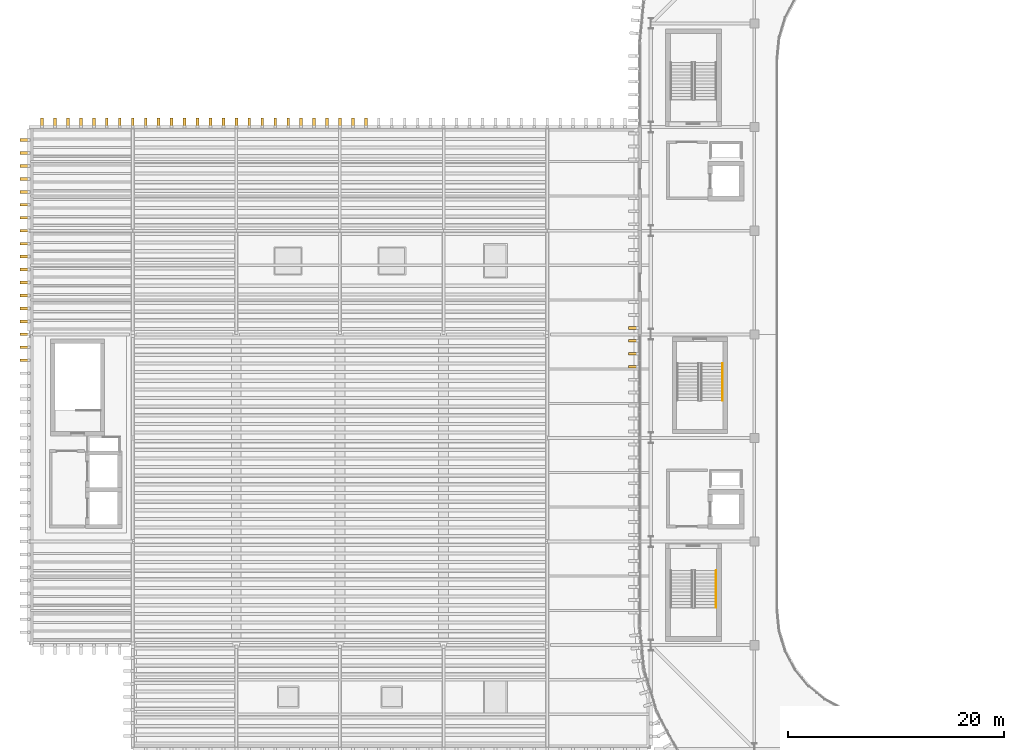
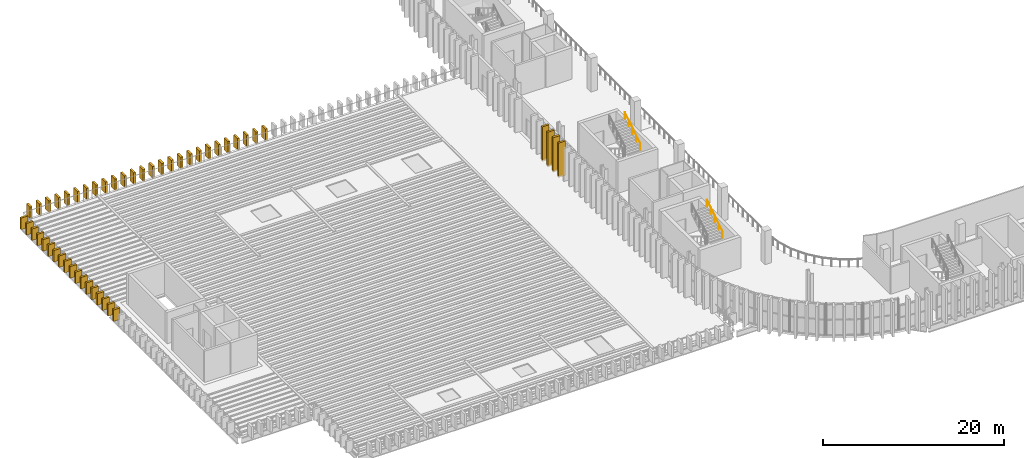
# One storey, part 78 of 92: 48 coverings, 2 railings.
"""IFC4 building model written with IfcOpenShell, lengths in metres."""

import ifcopenshell
import ifcopenshell.guid

model = None  # the IFC model being written
_history = None  # IfcOwnerHistory: only IFC2X3 demands one
_inside = {}  # id of a spatial element -> (the spatial element, [elements in it])
_under = {}  # id of a project, library or spatial element -> (it, [spatial elements below it])
_declared = {}  # id of a project -> (the project, [libraries it declares])
_typed = {}  # id of a type object -> (the type object, [elements of that type])
_made_of = {}  # id of a material, layer set ... -> (it, [elements and type objects made of it])


def new_model(schema):
    """Start an empty IFC model of exactly this schema.

    Asked for "IFC4X3", IfcOpenShell would pick the latest addendum, in which some entities
    have other attributes; the version numbers below select the first issue.
    IFC2X3 requires an IfcOwnerHistory on every rooted entity: one is made here for all.
    """
    global model, _history
    if schema == "IFC4X3":
        model = ifcopenshell.file(schema_version=(4, 3, 0, 0))
    else:
        model = ifcopenshell.file(schema=schema)
    _inside.clear()
    _under.clear()
    _declared.clear()
    _typed.clear()
    _made_of.clear()
    _history = None
    if model.schema == "IFC2X3":
        org = make("IfcOrganization", Name="unknown")
        user = make(
            "IfcPersonAndOrganization",
            ThePerson=make("IfcPerson", FamilyName="unknown"),
            TheOrganization=org,
        )
        app = make(
            "IfcApplication",
            ApplicationDeveloper=org,
            Version="unknown",
            ApplicationFullName="unknown",
            ApplicationIdentifier="unknown",
        )
        _history = make(
            "IfcOwnerHistory",
            OwningUser=user,
            OwningApplication=app,
            ChangeAction="ADDED",
            CreationDate=0,
        )
    return model


def make(cls, **values):
    """One entity of the class cls with the attributes given. An attribute that is None is left unset."""
    return model.create_entity(
        cls, **{name: value for name, value in values.items() if value is not None}
    )


def rooted(cls, **values):
    """An entity with a GlobalId (a new one), such as an element, a storey or a relation."""
    return make(cls, GlobalId=ifcopenshell.guid.new(), OwnerHistory=_history, **values)


def si_unit(unit_type, name, prefix=None):
    """IfcSIUnit, for example si_unit("LENGTHUNIT", "METRE", prefix="MILLI")."""
    return make("IfcSIUnit", UnitType=unit_type, Prefix=prefix, Name=name)


def assignment(units):
    """IfcUnitAssignment: the units of a project."""
    return None if units is None else make("IfcUnitAssignment", Units=units)


def point(xyz):
    """IfcCartesianPoint."""
    return None if xyz is None else make("IfcCartesianPoint", Coordinates=xyz)


def direction(xyz):
    """IfcDirection."""
    return None if xyz is None else make("IfcDirection", DirectionRatios=xyz)


def frame(location, z_axis=None, x_axis=None):
    """IfcAxis2Placement3D, a coordinate frame: its origin and axes. An axis left out is left unset."""
    return make(
        "IfcAxis2Placement3D",
        Location=point(location),
        Axis=direction(z_axis),
        RefDirection=direction(x_axis),
    )


def frame_2d(location, x_axis=None):
    """IfcAxis2Placement2D, a coordinate frame in the plane: its origin and x axis."""
    return make(
        "IfcAxis2Placement2D", Location=point(location), RefDirection=direction(x_axis)
    )


def origin():
    """The frame at (0, 0, 0) with its axes left unset."""
    return frame((0.0, 0.0, 0.0))


def origin_2d():
    """The frame at (0, 0) in the plane with its x axis left unset."""
    return frame_2d((0.0, 0.0))


def place(relative_to, where):
    """IfcLocalPlacement: puts the frame where relative to a parent placement (None: the world)."""
    return make(
        "IfcLocalPlacement", PlacementRelTo=relative_to, RelativePlacement=where
    )


def context(
    kind, dimensions, precision=None, world=None, true_north=None, identifier=None
):
    """IfcGeometricRepresentationContext, for example the 3D "Model" context."""
    return make(
        "IfcGeometricRepresentationContext",
        ContextIdentifier=identifier,
        ContextType=kind,
        CoordinateSpaceDimension=dimensions,
        Precision=precision,
        WorldCoordinateSystem=world,
        TrueNorth=true_north,
    )


def subcontext(parent, identifier, kind, view, scale=None):
    """IfcGeometricRepresentationSubContext, for example "Body" below "Model"."""
    return make(
        "IfcGeometricRepresentationSubContext",
        ContextIdentifier=identifier,
        ContextType=kind,
        ParentContext=parent,
        TargetScale=scale,
        TargetView=view,
    )


def project(units=None, contexts=None):
    """IfcProject with its units and contexts."""
    return rooted(
        "IfcProject",
        Name="project",
        RepresentationContexts=contexts,
        UnitsInContext=assignment(units),
    )


def spatial(cls, under=None, at=None, **own):
    """A site, building, storey or space (cls), placed at a placement, below another one or the project."""
    s = rooted(cls, ObjectPlacement=at, **own)
    if under is not None:
        _under.setdefault(under.id(), (under, []))[1].append(s)
    return s


def profile(cls, at=None, kind="AREA", **sizes):
    """A parametric profile (cls). Its sizes go by their IFC names, for example OverallWidth=200.0."""
    return make(cls, ProfileType=kind, Position=at, **sizes)


def rectangle(**sizes):
    """IfcRectangleProfileDef."""
    return profile("IfcRectangleProfileDef", **sizes)


def circle(**sizes):
    """IfcCircleProfileDef."""
    return profile("IfcCircleProfileDef", **sizes)


def extrude(swept, where, along, depth):
    """IfcExtrudedAreaSolid: the profile swept, set in the frame where, extruded along a direction by depth."""
    return make(
        "IfcExtrudedAreaSolid",
        SweptArea=swept,
        Position=where,
        ExtrudedDirection=direction(along),
        Depth=depth,
    )


def shape(context_of_items, identifier, shape_type, items):
    """IfcShapeRepresentation: the items that make up one representation, for example the "Body"."""
    return make(
        "IfcShapeRepresentation",
        ContextOfItems=context_of_items,
        RepresentationIdentifier=identifier,
        RepresentationType=shape_type,
        Items=items,
    )


def material(Name=None, Category=None):
    """IfcMaterial."""
    return make("IfcMaterial", Name=Name, Category=Category)


def material_profile(
    of_material, cross_section, Name=None, Category=None, Priority=None
):
    """IfcMaterialProfile: a cross section and its material."""
    return make(
        "IfcMaterialProfile",
        Name=Name,
        Material=of_material,
        Profile=cross_section,
        Priority=Priority,
        Category=Category,
    )


def profile_set(profiles, Name=None, composite=None):
    """IfcMaterialProfileSet."""
    return make(
        "IfcMaterialProfileSet",
        Name=Name,
        MaterialProfiles=profiles,
        CompositeProfile=composite,
    )


def made_of(thing, what):
    """Note that an element or type object is made of a material, layer set ...; save() writes the relation."""
    if what is not None:
        _made_of.setdefault(what.id(), (what, []))[1].append(thing)
    return thing


def type_object(cls, material=None, **own):
    """A type object (cls), such as IfcWallType, which elements share."""
    return made_of(rooted(cls, **own), material)


def element(
    cls,
    number,
    at=None,
    inside=None,
    cuts=None,
    type_object=None,
    material=None,
    context=None,
    identifier="Body",
    shape_type=None,
    held_by="IfcProductDefinitionShape",
    body=None,
    shapes=None,
    **own,
):
    """One element of the class cls, such as IfcWall. Its Tag is "e" and its number.

    at: its placement. inside: the storey or other place that contains it. cuts: it is an
    opening in that element (IfcRelVoidsElement). A single representation is given by context,
    identifier, shape_type and body (its items); several are given by shapes. held_by: the class
    of the entity that holds the representations. save() writes the other relations.
    """
    e = rooted(cls, Tag="e%d" % number, ObjectPlacement=at, **own)
    if body is not None:
        shapes = [shape(context, identifier, shape_type, body)]
    if shapes is not None:
        e.Representation = make(held_by, Representations=shapes)
    if inside is not None:
        _inside.setdefault(inside.id(), (inside, []))[1].append(e)
    if cuts is not None:
        rooted(
            "IfcRelVoidsElement", RelatingBuildingElement=cuts, RelatedOpeningElement=e
        )
    if type_object is not None:
        _typed.setdefault(type_object.id(), (type_object, []))[1].append(e)
    return made_of(e, material)


def aggregate(whole, parts):
    """IfcRelAggregates: a whole, such as a stair, and the parts it consists of."""
    return rooted("IfcRelAggregates", RelatingObject=whole, RelatedObjects=parts)


def save(model, path):
    """Write the relations noted so far, then the file.

    IfcRelAggregates (storeys below a building ...), IfcRelContainedInSpatialStructure (elements
    in a storey), IfcRelDefinesByType, IfcRelAssociatesMaterial and IfcRelDeclares: one each for
    every whole, place, type object, material and project.
    """
    for whole, parts in _under.values():
        aggregate(whole, parts)
    for where, things in _inside.values():
        rooted(
            "IfcRelContainedInSpatialStructure",
            RelatedElements=things,
            RelatingStructure=where,
        )
    for kind, things in _typed.values():
        rooted("IfcRelDefinesByType", RelatedObjects=things, RelatingType=kind)
    for what, things in _made_of.values():
        rooted("IfcRelAssociatesMaterial", RelatedObjects=things, RelatingMaterial=what)
    for by, libraries in _declared.values():
        rooted("IfcRelDeclares", RelatingContext=by, RelatedDefinitions=libraries)
    model.write(path)


model = new_model("IFC4")

# Units and contexts
model_context = context("Model", 3, precision=1e-05, world=origin(), true_north=direction((0.0, 1.0)))
body_context = subcontext(model_context, "Body", "Model", "MODEL_VIEW")
ifc_project = project(units=[si_unit("LENGTHUNIT", "METRE"), si_unit("AREAUNIT", "SQUARE_METRE"), si_unit("VOLUMEUNIT", "CUBIC_METRE"), si_unit("PLANEANGLEUNIT", "RADIAN"), si_unit("MASSUNIT", "GRAM", prefix="KILO")], contexts=[model_context])

# Site, building, storey
site_placement = place(None, origin())
site = spatial("IfcSite", under=ifc_project, at=site_placement, CompositionType="ELEMENT")
building_placement = place(site_placement, origin())
building = spatial("IfcBuilding", under=site, at=building_placement, Name="Caelomonte Colonnade Arena", CompositionType="ELEMENT")
storey_placement = place(building_placement, frame((0.0, 0.0, 9.60009765625)))
storey = spatial("IfcBuildingStorey", under=building, at=storey_placement, Name="L02", CompositionType="ELEMENT", Elevation=9.60009765625)

# Coverings
ifc_material_1 = material(Name="Precast travertine cladding", Category="masonry")
ifc_material_profile = material_profile(ifc_material_1, rectangle(XDim=0.260009765625, YDim=0.85009765625, at=origin_2d()), Name="FIN260X850")
ifc_profile_set = profile_set([ifc_material_profile], Name="Precast travertine cladding")
covering_type = type_object("IfcCoveringType", Name="ENV-FN-SHAFT", PredefinedType="CLADDING", material=ifc_profile_set)
for number, where, z_axis, x_axis, name in (
    (1, (55.97900390625, 67.800048828125, -0.16015625), (0.0, 0.0, 1.0), (0.0, 1.0, 0.0), "V1 L02 classical travertine vertical fin 192"),
    (2, (55.97900390625, 66.60009765625, -0.16015625), (0.0, 0.0, 1.0), (0.0, 1.0, 0.0), "V1 L02 classical travertine vertical fin 193"),
    (3, (55.97900390625, 65.39990234375, -0.16015625), (0.0, 0.0, 1.0), (0.0, 1.0, 0.0), "V1 L02 classical travertine vertical fin 194"),
    (4, (55.97900390625, 64.199951171875, -0.16015625), (0.0, 0.0, 1.0), (0.0, 1.0, 0.0), "V1 L02 classical travertine vertical fin 195"),
):
    element("IfcCovering", number, at=place(storey_placement, frame(where, z_axis=z_axis, x_axis=x_axis)), inside=storey, type_object=covering_type, Name=name, PredefinedType="CLADDING", context=body_context, shape_type="SweptSolid", body=[
        extrude(rectangle(XDim=0.260009765625, YDim=0.85009765625, at=origin_2d()), origin(), (0.0, 0.0, 1.0), 4.66015625),
    ])
for number, where, z_axis, x_axis, name in (
    (5, (-0.4208984375, 85.199951171875, -0.16015625), (0.0, 0.0, 1.0), (0.0, 1.0, 0.0), "V5 L02 classical travertine vertical fin 1"),
    (6, (-0.4208984375, 84.0, -0.16015625), (0.0, 0.0, 1.0), (0.0, 1.0, 0.0), "V5 L02 classical travertine vertical fin 2"),
    (7, (-0.4208984375, 82.800048828125, -0.16015625), (0.0, 0.0, 1.0), (0.0, 1.0, 0.0), "V5 L02 classical travertine vertical fin 3"),
    (8, (-0.4208984375, 81.60009765625, -0.16015625), (0.0, 0.0, 1.0), (0.0, 1.0, 0.0), "V5 L02 classical travertine vertical fin 4"),
    (9, (-0.4208984375, 80.39990234375, -0.16015625), (0.0, 0.0, 1.0), (0.0, 1.0, 0.0), "V5 L02 classical travertine vertical fin 5"),
    (10, (-0.4208984375, 79.199951171875, -0.16015625), (0.0, 0.0, 1.0), (0.0, 1.0, 0.0), "V5 L02 classical travertine vertical fin 6"),
    (11, (-0.4208984375, 78.0, -0.16015625), (0.0, 0.0, 1.0), (0.0, 1.0, 0.0), "V5 L02 classical travertine vertical fin 7"),
    (12, (-0.4208984375, 76.800048828125, -0.16015625), (0.0, 0.0, 1.0), (0.0, 1.0, 0.0), "V5 L02 classical travertine vertical fin 8"),
    (13, (-0.4208984375, 75.60009765625, -0.16015625), (0.0, 0.0, 1.0), (0.0, 1.0, 0.0), "V5 L02 classical travertine vertical fin 9"),
    (14, (-0.4208984375, 74.39990234375, -0.16015625), (0.0, 0.0, 1.0), (0.0, 1.0, 0.0), "V5 L02 classical travertine vertical fin 10"),
    (15, (-0.4208984375, 73.199951171875, -0.16015625), (0.0, 0.0, 1.0), (0.0, 1.0, 0.0), "V5 L02 classical travertine vertical fin 11"),
    (16, (-0.4208984375, 72.0, -0.16015625), (0.0, 0.0, 1.0), (0.0, 1.0, 0.0), "V5 L02 classical travertine vertical fin 12"),
    (17, (-0.4208984375, 70.800048828125, -0.16015625), (0.0, 0.0, 1.0), (0.0, 1.0, 0.0), "V5 L02 classical travertine vertical fin 13"),
    (18, (-0.4208984375, 69.60009765625, -0.16015625), (0.0, 0.0, 1.0), (0.0, 1.0, 0.0), "V5 L02 classical travertine vertical fin 14"),
    (19, (-0.4208984375, 68.39990234375, -0.16015625), (0.0, 0.0, 1.0), (0.0, 1.0, 0.0), "V5 L02 classical travertine vertical fin 15"),
    (20, (-0.4208984375, 67.199951171875, -0.16015625), (0.0, 0.0, 1.0), (0.0, 1.0, 0.0), "V5 L02 classical travertine vertical fin 16"),
    (21, (-0.4208984375, 66.0, -0.16015625), (0.0, 0.0, 1.0), (0.0, 1.0, 0.0), "V5 L02 classical travertine vertical fin 17"),
    (22, (-0.4208984375, 64.800048828125, -0.16015625), (0.0, 0.0, 1.0), (0.0, 1.0, 0.0), "V5 L02 classical travertine vertical fin 18"),
    (23, (31.199951171875, 86.821044921875, -0.16015625), (0.0, 0.0, 1.0), (1.0, 0.0, 0.0), "V5 L02 classical travertine vertical fin 116"),
    (24, (30.0, 86.821044921875, -0.16015625), (0.0, 0.0, 1.0), (1.0, 0.0, 0.0), "V5 L02 classical travertine vertical fin 117"),
    (25, (28.800048828125, 86.821044921875, -0.16015625), (0.0, 0.0, 1.0), (1.0, 0.0, 0.0), "V5 L02 classical travertine vertical fin 118"),
    (26, (27.60009765625, 86.821044921875, -0.16015625), (0.0, 0.0, 1.0), (1.0, 0.0, 0.0), "V5 L02 classical travertine vertical fin 119"),
    (27, (26.39990234375, 86.821044921875, -0.16015625), (0.0, 0.0, 1.0), (1.0, 0.0, 0.0), "V5 L02 classical travertine vertical fin 120"),
    (28, (25.199951171875, 86.821044921875, -0.16015625), (0.0, 0.0, 1.0), (1.0, 0.0, 0.0), "V5 L02 classical travertine vertical fin 121"),
    (29, (24.0, 86.821044921875, -0.16015625), (0.0, 0.0, 1.0), (1.0, 0.0, 0.0), "V5 L02 classical travertine vertical fin 122"),
    (30, (22.800048828125, 86.821044921875, -0.16015625), (0.0, 0.0, 1.0), (1.0, 0.0, 0.0), "V5 L02 classical travertine vertical fin 123"),
    (31, (21.60009765625, 86.821044921875, -0.16015625), (0.0, 0.0, 1.0), (1.0, 0.0, 0.0), "V5 L02 classical travertine vertical fin 124"),
    (32, (20.39990234375, 86.821044921875, -0.16015625), (0.0, 0.0, 1.0), (1.0, 0.0, 0.0), "V5 L02 classical travertine vertical fin 125"),
    (33, (19.199951171875, 86.821044921875, -0.16015625), (0.0, 0.0, 1.0), (1.0, 0.0, 0.0), "V5 L02 classical travertine vertical fin 126"),
    (34, (18.0, 86.821044921875, -0.16015625), (0.0, 0.0, 1.0), (1.0, 0.0, 0.0), "V5 L02 classical travertine vertical fin 127"),
    (35, (16.800048828125, 86.821044921875, -0.16015625), (0.0, 0.0, 1.0), (1.0, 0.0, 0.0), "V5 L02 classical travertine vertical fin 128"),
    (36, (15.60009765625, 86.821044921875, -0.16015625), (0.0, 0.0, 1.0), (1.0, 0.0, 0.0), "V5 L02 classical travertine vertical fin 129"),
    (37, (14.39990234375, 86.821044921875, -0.16015625), (0.0, 0.0, 1.0), (1.0, 0.0, 0.0), "V5 L02 classical travertine vertical fin 130"),
    (38, (13.199951171875, 86.821044921875, -0.16015625), (0.0, 0.0, 1.0), (1.0, 0.0, 0.0), "V5 L02 classical travertine vertical fin 131"),
    (39, (12.0, 86.821044921875, -0.16015625), (0.0, 0.0, 1.0), (1.0, 0.0, 0.0), "V5 L02 classical travertine vertical fin 132"),
    (40, (10.800048828125, 86.821044921875, -0.16015625), (0.0, 0.0, 1.0), (1.0, 0.0, 0.0), "V5 L02 classical travertine vertical fin 133"),
    (41, (9.60009765625, 86.821044921875, -0.16015625), (0.0, 0.0, 1.0), (1.0, 0.0, 0.0), "V5 L02 classical travertine vertical fin 134"),
    (42, (8.39990234375, 86.821044921875, -0.16015625), (0.0, 0.0, 1.0), (1.0, 0.0, 0.0), "V5 L02 classical travertine vertical fin 135"),
    (43, (7.199951171875, 86.821044921875, -0.16015625), (0.0, 0.0, 1.0), (1.0, 0.0, 0.0), "V5 L02 classical travertine vertical fin 136"),
    (44, (6.0, 86.821044921875, -0.16015625), (0.0, 0.0, 1.0), (1.0, 0.0, 0.0), "V5 L02 classical travertine vertical fin 137"),
    (45, (4.800048828125, 86.821044921875, -0.16015625), (0.0, 0.0, 1.0), (1.0, 0.0, 0.0), "V5 L02 classical travertine vertical fin 138"),
    (46, (3.60009765625, 86.821044921875, -0.16015625), (0.0, 0.0, 1.0), (1.0, 0.0, 0.0), "V5 L02 classical travertine vertical fin 139"),
    (47, (2.39990234375, 86.821044921875, -0.16015625), (0.0, 0.0, 1.0), (1.0, 0.0, 0.0), "V5 L02 classical travertine vertical fin 140"),
    (48, (1.199951171875, 86.821044921875, -0.16015625), (0.0, 0.0, 1.0), (1.0, 0.0, 0.0), "V5 L02 classical travertine vertical fin 141"),
):
    element("IfcCovering", number, at=place(storey_placement, frame(where, z_axis=z_axis, x_axis=x_axis)), inside=storey, type_object=covering_type, Name=name, PredefinedType="CLADDING", context=body_context, shape_type="SweptSolid", body=[
        extrude(rectangle(XDim=0.260009765625, YDim=0.85009765625, at=origin_2d()), origin(), (0.0, 0.0, 1.0), 1.56005859375),
    ])

# Railings
ifc_material_2 = material(Name="Brushed stainless steel stair handrail", Category="steel")
railing_type = type_object("IfcRailingType", Name="INT-RL-HR", PredefinedType="HANDRAIL", material=ifc_material_2)
railing_1_placement = place(storey_placement, frame((63.64990234375, 41.8798828125, 2.423095703125)))
element("IfcRailing", 49, at=railing_1_placement, inside=storey, type_object=railing_type, Name="L02 ST-01 stair handrail 2", PredefinedType="HANDRAIL", context=body_context, shape_type="SweptSolid", body=[
    extrude(circle(Radius=0.02392578125, at=origin_2d()), frame((0.0, 0.0, 0.8759765625), z_axis=(0.0, 0.854745945586, 0.519046595696), x_axis=(-1.0, 0.0, 0.0)), (0.0, 0.0, 1.0), 4.00146484375),
    extrude(circle(Radius=0.02099609375, at=origin_2d()), origin(), (0.0, 0.0, 1.0), 0.847900390625),
    extrude(circle(Radius=0.02099609375, at=origin_2d()), frame((0.0, 0.85498046875, 0.519287109375)), (0.0, 0.0, 1.0), 0.847900390625),
    extrude(circle(Radius=0.02099609375, at=origin_2d()), frame((0.0, 1.7099609375, 1.03857421875)), (0.0, 0.0, 1.0), 0.847900390625),
    extrude(circle(Radius=0.02099609375, at=origin_2d()), frame((0.0, 2.565185546875, 1.5576171875)), (0.0, 0.0, 1.0), 0.847900390625),
    extrude(circle(Radius=0.02099609375, at=origin_2d()), frame((0.0, 3.420166015625, 2.076904296875)), (0.0, 0.0, 1.0), 0.847900390625),
])
railing_2_placement = place(storey_placement, frame((64.25, 61.080078125, 2.423095703125)))
element("IfcRailing", 50, at=railing_2_placement, inside=storey, type_object=railing_type, Name="L02 ST-09 stair handrail 2", PredefinedType="HANDRAIL", context=body_context, shape_type="SweptSolid", body=[
    extrude(circle(Radius=0.02392578125, at=origin_2d()), frame((0.0, 0.0, 0.8759765625), z_axis=(0.0, 0.854729506542, 0.519073665916), x_axis=(-1.0, 0.0, 0.0)), (0.0, 0.0, 1.0), 4.001220703125),
    extrude(circle(Radius=0.02099609375, at=origin_2d()), origin(), (0.0, 0.0, 1.0), 0.847900390625),
    extrude(circle(Radius=0.02099609375, at=origin_2d()), frame((0.0, 0.85498046875, 0.519287109375)), (0.0, 0.0, 1.0), 0.847900390625),
    extrude(circle(Radius=0.02099609375, at=origin_2d()), frame((0.0, 1.7099609375, 1.03857421875)), (0.0, 0.0, 1.0), 0.847900390625),
    extrude(circle(Radius=0.02099609375, at=origin_2d()), frame((0.0, 2.56494140625, 1.5576171875)), (0.0, 0.0, 1.0), 0.847900390625),
    extrude(circle(Radius=0.02099609375, at=origin_2d()), frame((0.0, 3.419921875, 2.076904296875)), (0.0, 0.0, 1.0), 0.847900390625),
])

save(model, "model.ifc")
